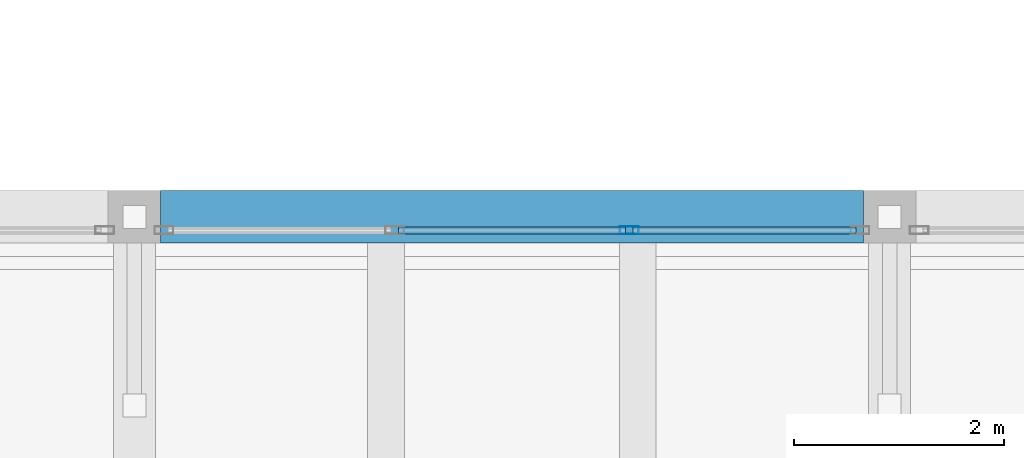
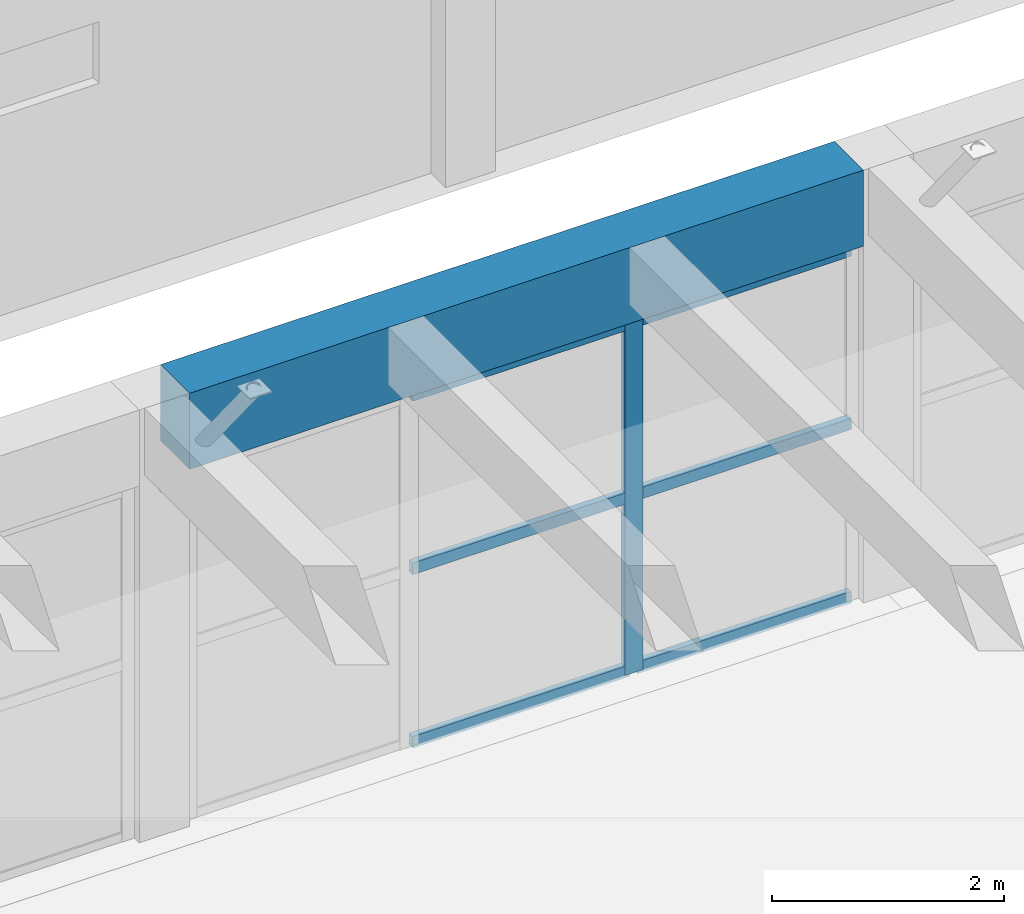
# One storey, part 71 of 153: 7 members, 1 beam, 1 element without a shape of its own.
"""IFC4 building model written with IfcOpenShell, lengths in metres."""

from ifc_helpers import new_model, si_unit, direction, frame, origin, origin_2d, place, context, subcontext, project, spatial, rectangle, hollow_rectangle, extrude, material, material_profile, profile_set, type_object, element, aggregate, save


model = new_model("IFC4")

# Units and contexts
model_context = context("Model", 3, precision=1e-05, world=origin(), true_north=direction((0.0, 1.0)))
body_context = subcontext(model_context, "Body", "Model", "MODEL_VIEW")
ifc_project = project(units=[si_unit("LENGTHUNIT", "METRE"), si_unit("AREAUNIT", "SQUARE_METRE"), si_unit("VOLUMEUNIT", "CUBIC_METRE"), si_unit("PLANEANGLEUNIT", "RADIAN"), si_unit("MASSUNIT", "GRAM", prefix="KILO")], contexts=[model_context])

# Site, building, storey
site_placement = place(None, origin())
site = spatial("IfcSite", under=ifc_project, at=site_placement, CompositionType="ELEMENT")
building_placement = place(site_placement, origin())
building = spatial("IfcBuilding", under=site, at=building_placement, Name="Bramvelor Terrace Health Centre", CompositionType="ELEMENT")
storey_placement = place(building_placement, frame((0.0, 0.0, 4.800048828125)))
storey = spatial("IfcBuildingStorey", under=building, at=storey_placement, Name="L02", CompositionType="ELEMENT", Elevation=4.800048828125)

# Beam
ifc_material_1 = material(Name="Concrete C40/50", Category="concrete")
ifc_material_profile_1 = material_profile(ifc_material_1, rectangle(XDim=0.5, YDim=0.800048828125, at=origin_2d()), Name="RC 500x800")
ifc_profile_set_1 = profile_set([ifc_material_profile_1], Name="Concrete C40/50")
beam_type = type_object("IfcBeamType", Name="BM-RC-G800", PredefinedType="BEAM", material=ifc_profile_set_1)
beam_placement = place(storey_placement, frame((57.85009765625, 79.199951171875, 4.14990234375), z_axis=(1.0, 0.0, 0.0), x_axis=(0.0, 1.0, 0.0)))
element("IfcBeam", 1, at=beam_placement, inside=storey, type_object=beam_type, Name="L02 Floor Girder", PredefinedType="BEAM", context=body_context, shape_type="SweptSolid", body=[
    extrude(rectangle(XDim=0.5, YDim=0.800048828125, at=origin_2d()), origin(), (0.0, 0.0, 1.0), 6.699951171875),
])

# Curtain wall, members
ifc_material_2 = material(Name="Anodized aluminium and double low-E glass", Category="aluminium")
curtain_wall_type = type_object("IfcCurtainWallType", Name="CW-SYS-17", PredefinedType="NOTDEFINED", material=ifc_material_2)
curtain_wall_placement = place(storey_placement, origin())
curtain_wall = element("IfcCurtainWall", 2, at=curtain_wall_placement, inside=storey, type_object=curtain_wall_type, Name="L02 Unitized Curtain Wall 92", PredefinedType="NOTDEFINED")
ifc_material_3 = material(Name="Anodized aluminium 6063-T6", Category="aluminium")
ifc_material_profile_2 = material_profile(ifc_material_3, hollow_rectangle(XDim=0.074951171875, YDim=0.179931640625, WallThickness=0.00341796875, at=origin_2d()), Name="ALU-MUL 75x180x3.5")
ifc_profile_set_2 = profile_set([ifc_material_profile_2], Name="Anodized aluminium 6063-T6")
member_type_1 = type_object("IfcMemberType", Name="CW-MUL-65x180", PredefinedType="MULLION", material=ifc_profile_set_2)
member_1_placement = place(storey_placement, frame((62.318359375, 79.070068359375, 0.0), z_axis=(0.0, 0.0, 1.0), x_axis=(0.0, 1.0, 0.0)))
member_1 = element("IfcMember", 3, at=member_1_placement, type_object=member_type_1, Name="CW-17 mullion 3", PredefinedType="MULLION", context=body_context, shape_type="SweptSolid", body=[
    extrude(hollow_rectangle(XDim=0.074951171875, YDim=0.179931640625, WallThickness=0.00341796875, at=origin_2d()), origin(), (0.0, 0.0, 1.0), 3.7099609375),
])
ifc_material_4 = material(Name="Anodized aluminium 6063-T6", Category="aluminium")
ifc_material_profile_3 = material_profile(ifc_material_4, hollow_rectangle(XDim=0.06494140625, YDim=0.1201171875, WallThickness=0.0029296875, at=origin_2d()), Name="ALU-TRN 65x120x3.0")
ifc_profile_set_3 = profile_set([ifc_material_profile_3], Name="Anodized aluminium 6063-T6")
member_type_2 = type_object("IfcMemberType", Name="CW-TRN-65x150", PredefinedType="USERDEFINED", material=ifc_profile_set_3)
member_2_placement = place(storey_placement, frame((60.119140625, 79.070068359375, 0.032470703125), z_axis=(1.0, 0.0, 0.0), x_axis=(0.0, 1.0, 0.0)))
member_2 = element("IfcMember", 4, at=member_2_placement, type_object=member_type_2, Name="CW-17 transom 2.1", ObjectType="TRANSOM", PredefinedType="USERDEFINED", context=body_context, shape_type="SweptSolid", body=[
    extrude(hollow_rectangle(XDim=0.06494140625, YDim=0.1201171875, WallThickness=0.0029296875, at=origin_2d()), origin(), (0.0, 0.0, 1.0), 2.16162109375),
])
member_3_placement = place(storey_placement, frame((60.119140625, 79.070068359375, 1.85498046875), z_axis=(1.0, 0.0, 0.0), x_axis=(0.0, 1.0, 0.0)))
member_3 = element("IfcMember", 5, at=member_3_placement, type_object=member_type_2, Name="CW-17 transom 2.2", ObjectType="TRANSOM", PredefinedType="USERDEFINED", context=body_context, shape_type="SweptSolid", body=[
    extrude(hollow_rectangle(XDim=0.06494140625, YDim=0.1201171875, WallThickness=0.0029296875, at=origin_2d()), origin(), (0.0, 0.0, 1.0), 2.16162109375),
])
member_4_placement = place(storey_placement, frame((60.119140625, 79.070068359375, 3.677490234375), z_axis=(1.0, 0.0, 0.0), x_axis=(0.0, 1.0, 0.0)))
member_4 = element("IfcMember", 6, at=member_4_placement, type_object=member_type_2, Name="CW-17 transom 2.3", ObjectType="TRANSOM", PredefinedType="USERDEFINED", context=body_context, shape_type="SweptSolid", body=[
    extrude(hollow_rectangle(XDim=0.06494140625, YDim=0.1201171875, WallThickness=0.0029296875, at=origin_2d()), origin(), (0.0, 0.0, 1.0), 2.16162109375),
])
member_5_placement = place(storey_placement, frame((62.355712890625, 79.070068359375, 0.032470703125), z_axis=(1.0, 0.0, 0.0), x_axis=(0.0, 1.0, 0.0)))
member_5 = element("IfcMember", 7, at=member_5_placement, type_object=member_type_2, Name="CW-17 transom 3.1", ObjectType="TRANSOM", PredefinedType="USERDEFINED", context=body_context, shape_type="SweptSolid", body=[
    extrude(hollow_rectangle(XDim=0.06494140625, YDim=0.1201171875, WallThickness=0.0029296875, at=origin_2d()), origin(), (0.0, 0.0, 1.0), 2.124267578125),
])
member_6_placement = place(storey_placement, frame((62.355712890625, 79.070068359375, 1.85498046875), z_axis=(1.0, 0.0, 0.0), x_axis=(0.0, 1.0, 0.0)))
member_6 = element("IfcMember", 8, at=member_6_placement, type_object=member_type_2, Name="CW-17 transom 3.2", ObjectType="TRANSOM", PredefinedType="USERDEFINED", context=body_context, shape_type="SweptSolid", body=[
    extrude(hollow_rectangle(XDim=0.06494140625, YDim=0.1201171875, WallThickness=0.0029296875, at=origin_2d()), origin(), (0.0, 0.0, 1.0), 2.124267578125),
])
member_7_placement = place(storey_placement, frame((62.355712890625, 79.070068359375, 3.677490234375), z_axis=(1.0, 0.0, 0.0), x_axis=(0.0, 1.0, 0.0)))
member_7 = element("IfcMember", 9, at=member_7_placement, type_object=member_type_2, Name="CW-17 transom 3.3", ObjectType="TRANSOM", PredefinedType="USERDEFINED", context=body_context, shape_type="SweptSolid", body=[
    extrude(hollow_rectangle(XDim=0.06494140625, YDim=0.1201171875, WallThickness=0.0029296875, at=origin_2d()), origin(), (0.0, 0.0, 1.0), 2.124267578125),
])
aggregate(curtain_wall, [member_1, member_2, member_3, member_4, member_5, member_6, member_7])

save(model, "model.ifc")
